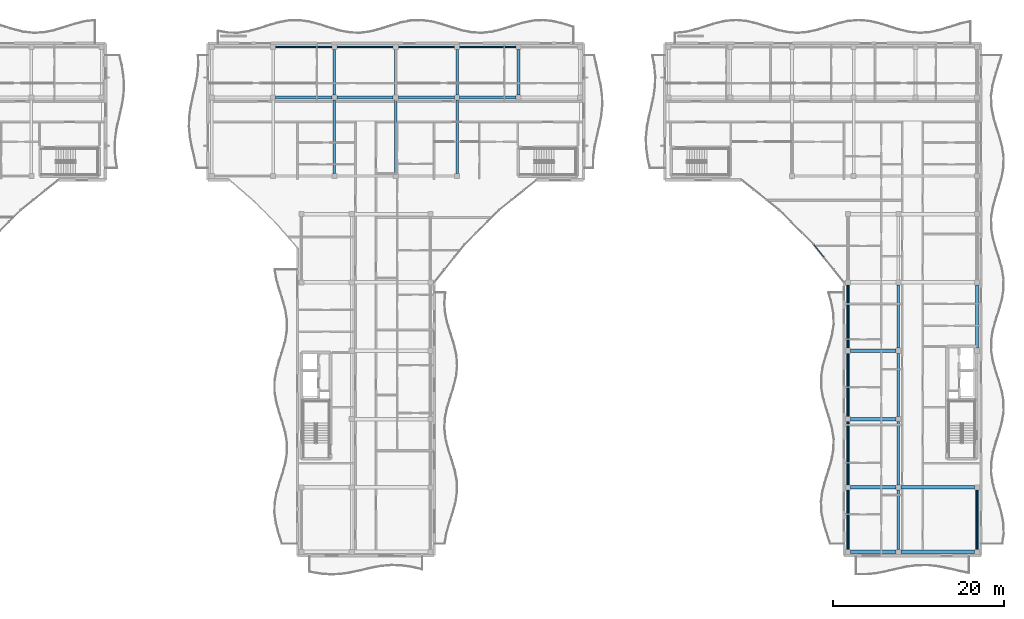
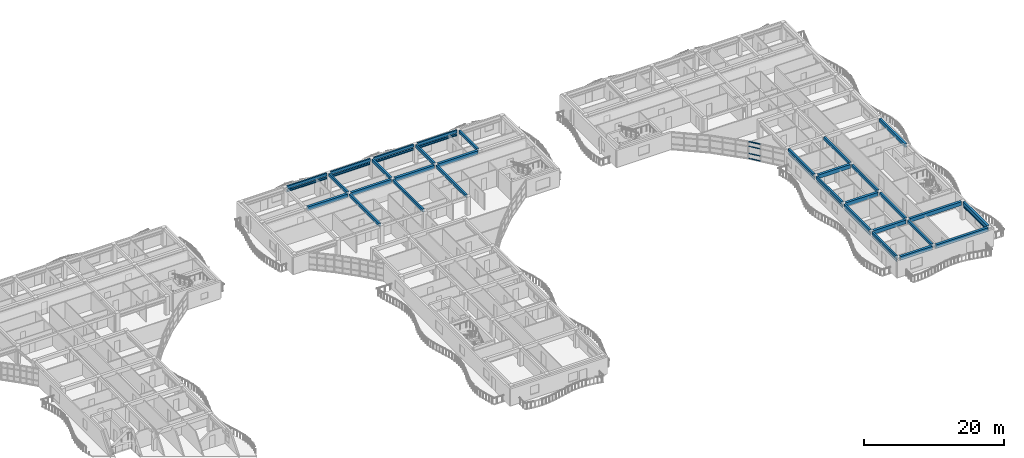
# One storey, part 18 of 76: 31 beams, 22 members, 1 element without a shape of its own.
"""IFC4 building model written with IfcOpenShell, lengths in metres."""

from ifc_helpers import new_model, si_unit, direction, frame, origin, origin_2d, place, context, subcontext, project, spatial, rectangle, hollow_rectangle, extrude, material, layer, layer_set, material_profile, profile_set, type_object, element, aggregate, save


model = new_model("IFC4")

# Units and contexts
model_context = context("Model", 3, precision=1e-05, world=origin(), true_north=direction((0.0, 1.0)))
body_context = subcontext(model_context, "Body", "Model", "MODEL_VIEW")
ifc_project = project(units=[si_unit("LENGTHUNIT", "METRE"), si_unit("AREAUNIT", "SQUARE_METRE"), si_unit("VOLUMEUNIT", "CUBIC_METRE"), si_unit("PLANEANGLEUNIT", "RADIAN"), si_unit("MASSUNIT", "GRAM", prefix="KILO")], contexts=[model_context])

# Site, building, storey
site_placement = place(None, origin())
site = spatial("IfcSite", under=ifc_project, at=site_placement, CompositionType="ELEMENT")
building_placement = place(site_placement, origin())
building = spatial("IfcBuilding", under=site, at=building_placement, Name="Keldmere Railside Commons", CompositionType="ELEMENT")
storey_placement = place(building_placement, frame((0.0, 0.0, 13.760009765625)))
storey = spatial("IfcBuildingStorey", under=building, at=storey_placement, Name="L04", CompositionType="ELEMENT", Elevation=13.760009765625)

# Members
ifc_material_1 = material(Name="Steel F-36 (S355)", Category="steel")
ifc_material_profile_1 = material_profile(ifc_material_1, hollow_rectangle(XDim=0.14990234375, YDim=0.25, WallThickness=0.010009765625, at=origin_2d()), Name="RHS-250x150x10")
ifc_profile_set_1 = profile_set([ifc_material_profile_1], Name="Steel F-36 (S355)")
member_type_1 = type_object("IfcMemberType", Name="Balcony Continuous Planted Trough RHS250x150", PredefinedType="CHORD", material=ifc_profile_set_1)
member_1_placement = place(storey_placement, frame((101.43310546875, 115.550048828125, 2.4150390625), z_axis=(1.0, 0.0, 0.0), x_axis=(0.0, 1.0, 0.0)))
element("IfcMember", 1, at=member_1_placement, inside=storey, type_object=member_type_1, Name="PLT-1 MEM-BPLT-0509", PredefinedType="CHORD", context=body_context, shape_type="SweptSolid", body=[
    extrude(hollow_rectangle(XDim=0.14990234375, YDim=0.25, WallThickness=0.010009765625, at=origin_2d()), origin(), (0.0, 0.0, 1.0), 6.583984375),
])
for number, where, z_axis, x_axis, name in (
    (2, (108.616943359375, 115.550048828125, 2.4150390625), (1.0, 0.0, 0.0), (0.0, 1.0, 0.0), "PLT-1 MEM-BPLT-0511"),
    (3, (115.800048828125, 115.550048828125, 2.4150390625), (1.0, 0.0, 0.0), (0.0, 1.0, 0.0), "PLT-1 MEM-BPLT-0513"),
):
    element("IfcMember", number, at=place(storey_placement, frame(where, z_axis=z_axis, x_axis=x_axis)), inside=storey, type_object=member_type_1, Name=name, PredefinedType="CHORD", context=body_context, shape_type="SweptSolid", body=[
        extrude(hollow_rectangle(XDim=0.14990234375, YDim=0.25, WallThickness=0.010009765625, at=origin_2d()), origin(), (0.0, 0.0, 1.0), 6.5830078125),
    ])
member_2_placement = place(storey_placement, frame((122.98291015625, 115.550048828125, 2.4150390625), z_axis=(1.0, 0.0, 0.0), x_axis=(0.0, 1.0, 0.0)))
element("IfcMember", 4, at=member_2_placement, inside=storey, type_object=member_type_1, Name="PLT-1 MEM-BPLT-0515", PredefinedType="CHORD", context=body_context, shape_type="SweptSolid", body=[
    extrude(hollow_rectangle(XDim=0.14990234375, YDim=0.25, WallThickness=0.010009765625, at=origin_2d()), origin(), (0.0, 0.0, 1.0), 6.583984375),
])
member_3_placement = place(storey_placement, frame((168.449951171875, 56.75, 2.4150390625), z_axis=(0.0, 1.0, 0.0), x_axis=(-1.0, 0.0, 0.0)))
element("IfcMember", 5, at=member_3_placement, inside=storey, type_object=member_type_1, Name="PLT-1 MEM-BPLT-0545", PredefinedType="CHORD", context=body_context, shape_type="SweptSolid", body=[
    extrude(hollow_rectangle(XDim=0.14990234375, YDim=0.25, WallThickness=0.010009765625, at=origin_2d()), origin(), (0.0, 0.0, 1.0), 6.949951171875),
])
for number, where, z_axis, x_axis, name in (
    (6, (168.449951171875, 64.300048828125, 2.4150390625), (0.0, 1.0, 0.0), (-1.0, 0.0, 0.0), "PLT-1 MEM-BPLT-0547"),
    (7, (168.449951171875, 72.300048828125, 2.4150390625), (0.0, 1.0, 0.0), (-1.0, 0.0, 0.0), "PLT-1 MEM-BPLT-0549"),
    (8, (168.449951171875, 80.300048828125, 2.4150390625), (0.0, 1.0, 0.0), (-1.0, 0.0, 0.0), "PLT-1 MEM-BPLT-0551"),
):
    element("IfcMember", number, at=place(storey_placement, frame(where, z_axis=z_axis, x_axis=x_axis)), inside=storey, type_object=member_type_1, Name=name, PredefinedType="CHORD", context=body_context, shape_type="SweptSolid", body=[
        extrude(hollow_rectangle(XDim=0.14990234375, YDim=0.25, WallThickness=0.010009765625, at=origin_2d()), origin(), (0.0, 0.0, 1.0), 7.39990234375),
    ])
member_4_placement = place(storey_placement, frame((183.550048828125, 56.75, 2.4150390625), z_axis=(0.0, 1.0, 0.0), x_axis=(-1.0, 0.0, 0.0)))
element("IfcMember", 9, at=member_4_placement, inside=storey, type_object=member_type_1, Name="PLT-1 MEM-BPLT-0555", PredefinedType="CHORD", context=body_context, shape_type="SweptSolid", body=[
    extrude(hollow_rectangle(XDim=0.14990234375, YDim=0.25, WallThickness=0.010009765625, at=origin_2d()), origin(), (0.0, 0.0, 1.0), 6.949951171875),
])

# Beams
ifc_material_2 = material(Name="Architectural Precast Concrete H-35 (C35/45)", Category="concrete")
ifc_material_profile_2 = material_profile(ifc_material_2, rectangle(XDim=0.25, YDim=0.449951171875, at=origin_2d()), Name="RC-250x450")
ifc_profile_set_2 = profile_set([ifc_material_profile_2], Name="Architectural Precast Concrete H-35 (C35/45)")
beam_type_1 = type_object("IfcBeamType", Name="Perimeter Precast Spandrel Beam 250x450", PredefinedType="SPANDREL", material=ifc_profile_set_2)
beam_1_placement = place(storey_placement, frame((101.43310546875, 115.550048828125, 2.97509765625), z_axis=(1.0, 0.0, 0.0), x_axis=(0.0, 1.0, 0.0)))
element("IfcBeam", 10, at=beam_1_placement, inside=storey, type_object=beam_type_1, Name="SPB-1 BM-L04-1592", PredefinedType="SPANDREL", context=body_context, shape_type="SweptSolid", body=[
    extrude(rectangle(XDim=0.25, YDim=0.449951171875, at=origin_2d()), origin(), (0.0, 0.0, 1.0), 6.583984375),
])
for number, where, z_axis, x_axis, name in (
    (11, (108.616943359375, 115.550048828125, 2.97509765625), (1.0, 0.0, 0.0), (0.0, 1.0, 0.0), "SPB-1 BM-L04-1593"),
    (12, (115.800048828125, 115.550048828125, 2.97509765625), (1.0, 0.0, 0.0), (0.0, 1.0, 0.0), "SPB-1 BM-L04-1594"),
):
    element("IfcBeam", number, at=place(storey_placement, frame(where, z_axis=z_axis, x_axis=x_axis)), inside=storey, type_object=beam_type_1, Name=name, PredefinedType="SPANDREL", context=body_context, shape_type="SweptSolid", body=[
        extrude(rectangle(XDim=0.25, YDim=0.449951171875, at=origin_2d()), origin(), (0.0, 0.0, 1.0), 6.5830078125),
    ])
beam_2_placement = place(storey_placement, frame((122.98291015625, 115.550048828125, 2.97509765625), z_axis=(1.0, 0.0, 0.0), x_axis=(0.0, 1.0, 0.0)))
element("IfcBeam", 13, at=beam_2_placement, inside=storey, type_object=beam_type_1, Name="SPB-1 BM-L04-1595", PredefinedType="SPANDREL", context=body_context, shape_type="SweptSolid", body=[
    extrude(rectangle(XDim=0.25, YDim=0.449951171875, at=origin_2d()), origin(), (0.0, 0.0, 1.0), 6.583984375),
])
ifc_material_3 = material(Name="Concrete H-30 (C30/37)", Category="concrete")
ifc_material_profile_3 = material_profile(ifc_material_3, rectangle(XDim=0.35009765625, YDim=0.60009765625, at=origin_2d()), Name="RC-350x600")
ifc_profile_set_3 = profile_set([ifc_material_profile_3], Name="Concrete H-30 (C30/37)")
beam_type_2 = type_object("IfcBeamType", Name="Residential Chord RC Beam 350x600", PredefinedType="BEAM", material=ifc_profile_set_3)
beam_3_placement = place(storey_placement, frame((183.550048828125, 56.75, 2.89990234375), z_axis=(0.0, 1.0, 0.0), x_axis=(-1.0, 0.0, 0.0)))
element("IfcBeam", 14, at=beam_3_placement, inside=storey, type_object=beam_type_2, Name="BG-4 BM-L04-1684", PredefinedType="BEAM", context=body_context, shape_type="SweptSolid", body=[
    extrude(rectangle(XDim=0.35009765625, YDim=0.60009765625, at=origin_2d()), origin(), (0.0, 0.0, 1.0), 6.949951171875),
])
beam_4_placement = place(storey_placement, frame((183.550048828125, 80.300048828125, 2.89990234375), z_axis=(0.0, 1.0, 0.0), x_axis=(-1.0, 0.0, 0.0)))
element("IfcBeam", 15, at=beam_4_placement, inside=storey, type_object=beam_type_2, Name="BG-4 BM-L04-1685", PredefinedType="BEAM", context=body_context, shape_type="SweptSolid", body=[
    extrude(rectangle(XDim=0.35009765625, YDim=0.60009765625, at=origin_2d()), origin(), (0.0, 0.0, 1.0), 7.39990234375),
])
ifc_material_profile_4 = material_profile(ifc_material_3, rectangle(XDim=0.39990234375, YDim=0.64990234375, at=origin_2d()), Name="RC-400x650")
ifc_profile_set_4 = profile_set([ifc_material_profile_4], Name="Concrete H-30 (C30/37)")
beam_type_3 = type_object("IfcBeamType", Name="Residential Spine RC Girder 400x650", PredefinedType="BEAM", material=ifc_profile_set_4)
beam_5_placement = place(storey_placement, frame((168.75, 56.449951171875, 2.875), z_axis=(1.0, 0.0, 0.0), x_axis=(0.0, 1.0, 0.0)))
element("IfcBeam", 16, at=beam_5_placement, inside=storey, type_object=beam_type_3, Name="BG-3 BM-L04-1520", PredefinedType="BEAM", context=body_context, shape_type="SweptSolid", body=[
    extrude(rectangle(XDim=0.39990234375, YDim=0.64990234375, at=origin_2d()), origin(), (0.0, 0.0, 1.0), 5.300048828125),
])
beam_6_placement = place(storey_placement, frame((174.64990234375, 56.449951171875, 2.875), z_axis=(1.0, 0.0, 0.0), x_axis=(0.0, 1.0, 0.0)))
element("IfcBeam", 17, at=beam_6_placement, inside=storey, type_object=beam_type_3, Name="BG-3 BM-L04-1521", PredefinedType="BEAM", context=body_context, shape_type="SweptSolid", body=[
    extrude(rectangle(XDim=0.39990234375, YDim=0.64990234375, at=origin_2d()), origin(), (0.0, 0.0, 1.0), 8.60009765625),
])
beam_7_placement = place(storey_placement, frame((168.75, 64.0, 2.875), z_axis=(1.0, 0.0, 0.0), x_axis=(0.0, 1.0, 0.0)))
element("IfcBeam", 18, at=beam_7_placement, inside=storey, type_object=beam_type_3, Name="BG-3 BM-L04-1528", PredefinedType="BEAM", context=body_context, shape_type="SweptSolid", body=[
    extrude(rectangle(XDim=0.39990234375, YDim=0.64990234375, at=origin_2d()), origin(), (0.0, 0.0, 1.0), 5.300048828125),
])
beam_8_placement = place(storey_placement, frame((174.64990234375, 64.0, 2.875), z_axis=(1.0, 0.0, 0.0), x_axis=(0.0, 1.0, 0.0)))
element("IfcBeam", 19, at=beam_8_placement, inside=storey, type_object=beam_type_3, Name="BG-3 BM-L04-1529", PredefinedType="BEAM", context=body_context, shape_type="SweptSolid", body=[
    extrude(rectangle(XDim=0.39990234375, YDim=0.64990234375, at=origin_2d()), origin(), (0.0, 0.0, 1.0), 8.60009765625),
])
for number, where, z_axis, x_axis, name in (
    (20, (168.75, 72.0, 2.875), (1.0, 0.0, 0.0), (0.0, 1.0, 0.0), "BG-3 BM-L04-1533"),
    (21, (168.75, 80.0, 2.875), (1.0, 0.0, 0.0), (0.0, 1.0, 0.0), "BG-3 BM-L04-1537"),
):
    element("IfcBeam", number, at=place(storey_placement, frame(where, z_axis=z_axis, x_axis=x_axis)), inside=storey, type_object=beam_type_3, Name=name, PredefinedType="BEAM", context=body_context, shape_type="SweptSolid", body=[
        extrude(rectangle(XDim=0.39990234375, YDim=0.64990234375, at=origin_2d()), origin(), (0.0, 0.0, 1.0), 5.300048828125),
    ])
beam_9_placement = place(storey_placement, frame((101.43310546875, 109.64990234375, 2.875), z_axis=(1.0, 0.0, 0.0), x_axis=(0.0, 1.0, 0.0)))
element("IfcBeam", 22, at=beam_9_placement, inside=storey, type_object=beam_type_3, Name="BG-3 BM-L04-1573", PredefinedType="BEAM", context=body_context, shape_type="SweptSolid", body=[
    extrude(rectangle(XDim=0.39990234375, YDim=0.64990234375, at=origin_2d()), origin(), (0.0, 0.0, 1.0), 6.583984375),
])
for number, where, z_axis, x_axis, name in (
    (23, (108.616943359375, 109.64990234375, 2.875), (1.0, 0.0, 0.0), (0.0, 1.0, 0.0), "BG-3 BM-L04-1574"),
    (24, (115.800048828125, 109.64990234375, 2.875), (1.0, 0.0, 0.0), (0.0, 1.0, 0.0), "BG-3 BM-L04-1575"),
):
    element("IfcBeam", number, at=place(storey_placement, frame(where, z_axis=z_axis, x_axis=x_axis)), inside=storey, type_object=beam_type_3, Name=name, PredefinedType="BEAM", context=body_context, shape_type="SweptSolid", body=[
        extrude(rectangle(XDim=0.39990234375, YDim=0.64990234375, at=origin_2d()), origin(), (0.0, 0.0, 1.0), 6.5830078125),
    ])
beam_10_placement = place(storey_placement, frame((122.98291015625, 109.64990234375, 2.875), z_axis=(1.0, 0.0, 0.0), x_axis=(0.0, 1.0, 0.0)))
element("IfcBeam", 25, at=beam_10_placement, inside=storey, type_object=beam_type_3, Name="BG-3 BM-L04-1576", PredefinedType="BEAM", context=body_context, shape_type="SweptSolid", body=[
    extrude(rectangle(XDim=0.39990234375, YDim=0.64990234375, at=origin_2d()), origin(), (0.0, 0.0, 1.0), 6.583984375),
])
ifc_material_profile_5 = material_profile(ifc_material_3, rectangle(XDim=0.300048828125, YDim=0.5, at=origin_2d()), Name="RC-300x500")
ifc_profile_set_5 = profile_set([ifc_material_profile_5], Name="Concrete H-30 (C30/37)")
beam_type_4 = type_object("IfcBeamType", Name="Secondary Frame RC Beam 300x500", PredefinedType="BEAM", material=ifc_profile_set_5)
beam_11_placement = place(storey_placement, frame((108.31689453125, 100.75, 2.949951171875), z_axis=(0.0, 1.0, 0.0), x_axis=(-1.0, 0.0, 0.0)))
element("IfcBeam", 26, at=beam_11_placement, inside=storey, type_object=beam_type_4, Name="BG-5 BM-L04-1649", PredefinedType="BEAM", context=body_context, shape_type="SweptSolid", body=[
    extrude(rectangle(XDim=0.300048828125, YDim=0.5, at=origin_2d()), origin(), (0.0, 0.0, 1.0), 8.60009765625),
])
beam_12_placement = place(storey_placement, frame((108.31689453125, 109.949951171875, 2.949951171875), z_axis=(0.0, 1.0, 0.0), x_axis=(-1.0, 0.0, 0.0)))
element("IfcBeam", 27, at=beam_12_placement, inside=storey, type_object=beam_type_4, Name="BG-5 BM-L04-1650", PredefinedType="BEAM", context=body_context, shape_type="SweptSolid", body=[
    extrude(rectangle(XDim=0.300048828125, YDim=0.5, at=origin_2d()), origin(), (0.0, 0.0, 1.0), 5.300048828125),
])
beam_13_placement = place(storey_placement, frame((115.5, 100.75, 2.949951171875), z_axis=(0.0, 1.0, 0.0), x_axis=(-1.0, 0.0, 0.0)))
element("IfcBeam", 28, at=beam_13_placement, inside=storey, type_object=beam_type_4, Name="BG-5 BM-L04-1656", PredefinedType="BEAM", context=body_context, shape_type="SweptSolid", body=[
    extrude(rectangle(XDim=0.300048828125, YDim=0.5, at=origin_2d()), origin(), (0.0, 0.0, 1.0), 8.60009765625),
])
beam_14_placement = place(storey_placement, frame((115.5, 109.949951171875, 2.949951171875), z_axis=(0.0, 1.0, 0.0), x_axis=(-1.0, 0.0, 0.0)))
element("IfcBeam", 29, at=beam_14_placement, inside=storey, type_object=beam_type_4, Name="BG-5 BM-L04-1657", PredefinedType="BEAM", context=body_context, shape_type="SweptSolid", body=[
    extrude(rectangle(XDim=0.300048828125, YDim=0.5, at=origin_2d()), origin(), (0.0, 0.0, 1.0), 5.300048828125),
])
beam_15_placement = place(storey_placement, frame((122.68310546875, 100.75, 2.949951171875), z_axis=(0.0, 1.0, 0.0), x_axis=(-1.0, 0.0, 0.0)))
element("IfcBeam", 30, at=beam_15_placement, inside=storey, type_object=beam_type_4, Name="BG-5 BM-L04-1663", PredefinedType="BEAM", context=body_context, shape_type="SweptSolid", body=[
    extrude(rectangle(XDim=0.300048828125, YDim=0.5, at=origin_2d()), origin(), (0.0, 0.0, 1.0), 8.60009765625),
])
for number, where, z_axis, x_axis, name in (
    (31, (122.68310546875, 109.949951171875, 2.949951171875), (0.0, 1.0, 0.0), (-1.0, 0.0, 0.0), "BG-5 BM-L04-1664"),
    (32, (129.866943359375, 109.949951171875, 2.949951171875), (0.0, 1.0, 0.0), (-1.0, 0.0, 0.0), "BG-5 BM-L04-1665"),
):
    element("IfcBeam", number, at=place(storey_placement, frame(where, z_axis=z_axis, x_axis=x_axis)), inside=storey, type_object=beam_type_4, Name=name, PredefinedType="BEAM", context=body_context, shape_type="SweptSolid", body=[
        extrude(rectangle(XDim=0.300048828125, YDim=0.5, at=origin_2d()), origin(), (0.0, 0.0, 1.0), 5.300048828125),
    ])
beam_16_placement = place(storey_placement, frame((168.449951171875, 56.75, 2.949951171875), z_axis=(0.0, 1.0, 0.0), x_axis=(-1.0, 0.0, 0.0)))
element("IfcBeam", 33, at=beam_16_placement, inside=storey, type_object=beam_type_4, Name="BG-5 BM-L04-1671", PredefinedType="BEAM", context=body_context, shape_type="SweptSolid", body=[
    extrude(rectangle(XDim=0.300048828125, YDim=0.5, at=origin_2d()), origin(), (0.0, 0.0, 1.0), 6.949951171875),
])
for number, where, z_axis, x_axis, name in (
    (34, (168.449951171875, 64.300048828125, 2.949951171875), (0.0, 1.0, 0.0), (-1.0, 0.0, 0.0), "BG-5 BM-L04-1672"),
    (35, (168.449951171875, 72.300048828125, 2.949951171875), (0.0, 1.0, 0.0), (-1.0, 0.0, 0.0), "BG-5 BM-L04-1673"),
    (36, (168.449951171875, 80.300048828125, 2.949951171875), (0.0, 1.0, 0.0), (-1.0, 0.0, 0.0), "BG-5 BM-L04-1674"),
):
    element("IfcBeam", number, at=place(storey_placement, frame(where, z_axis=z_axis, x_axis=x_axis)), inside=storey, type_object=beam_type_4, Name=name, PredefinedType="BEAM", context=body_context, shape_type="SweptSolid", body=[
        extrude(rectangle(XDim=0.300048828125, YDim=0.5, at=origin_2d()), origin(), (0.0, 0.0, 1.0), 7.39990234375),
    ])
beam_17_placement = place(storey_placement, frame((174.35009765625, 56.75, 2.949951171875), z_axis=(0.0, 1.0, 0.0), x_axis=(-1.0, 0.0, 0.0)))
element("IfcBeam", 37, at=beam_17_placement, inside=storey, type_object=beam_type_4, Name="BG-5 BM-L04-1678", PredefinedType="BEAM", context=body_context, shape_type="SweptSolid", body=[
    extrude(rectangle(XDim=0.300048828125, YDim=0.5, at=origin_2d()), origin(), (0.0, 0.0, 1.0), 6.949951171875),
])
for number, where, z_axis, x_axis, name in (
    (38, (174.35009765625, 64.300048828125, 2.949951171875), (0.0, 1.0, 0.0), (-1.0, 0.0, 0.0), "BG-5 BM-L04-1679"),
    (39, (174.35009765625, 72.300048828125, 2.949951171875), (0.0, 1.0, 0.0), (-1.0, 0.0, 0.0), "BG-5 BM-L04-1680"),
    (40, (174.35009765625, 80.300048828125, 2.949951171875), (0.0, 1.0, 0.0), (-1.0, 0.0, 0.0), "BG-5 BM-L04-1681"),
):
    element("IfcBeam", number, at=place(storey_placement, frame(where, z_axis=z_axis, x_axis=x_axis)), inside=storey, type_object=beam_type_4, Name=name, PredefinedType="BEAM", context=body_context, shape_type="SweptSolid", body=[
        extrude(rectangle(XDim=0.300048828125, YDim=0.5, at=origin_2d()), origin(), (0.0, 0.0, 1.0), 7.39990234375),
    ])

# Members
ifc_material_profile_6 = material_profile(ifc_material_1, hollow_rectangle(XDim=0.10009765625, YDim=0.159912109375, WallThickness=0.008056640625, at=origin_2d()), Name="RHS-160x100x8")
ifc_profile_set_6 = profile_set([ifc_material_profile_6], Name="Steel F-36 (S355)")
member_type_2 = type_object("IfcMemberType", Name="Solar Brise-Soleil Louvre Fin RHS160x100", PredefinedType="STRUT", material=ifc_profile_set_6)
member_5_placement = place(storey_placement, frame((101.43310546875, 115.550048828125, 2.199951171875), z_axis=(1.0, 0.0, 0.0), x_axis=(0.0, 1.0, 0.0)))
element("IfcMember", 41, at=member_5_placement, inside=storey, type_object=member_type_2, Name="BSF-1 MEM-BSF-0510", PredefinedType="STRUT", context=body_context, shape_type="SweptSolid", body=[
    extrude(hollow_rectangle(XDim=0.10009765625, YDim=0.159912109375, WallThickness=0.008056640625, at=origin_2d()), origin(), (0.0, 0.0, 1.0), 6.583984375),
])
for number, where, z_axis, x_axis, name in (
    (42, (108.616943359375, 115.550048828125, 2.199951171875), (1.0, 0.0, 0.0), (0.0, 1.0, 0.0), "BSF-1 MEM-BSF-0512"),
    (43, (115.800048828125, 115.550048828125, 2.199951171875), (1.0, 0.0, 0.0), (0.0, 1.0, 0.0), "BSF-1 MEM-BSF-0514"),
):
    element("IfcMember", number, at=place(storey_placement, frame(where, z_axis=z_axis, x_axis=x_axis)), inside=storey, type_object=member_type_2, Name=name, PredefinedType="STRUT", context=body_context, shape_type="SweptSolid", body=[
        extrude(hollow_rectangle(XDim=0.10009765625, YDim=0.159912109375, WallThickness=0.008056640625, at=origin_2d()), origin(), (0.0, 0.0, 1.0), 6.5830078125),
    ])
member_6_placement = place(storey_placement, frame((122.98291015625, 115.550048828125, 2.199951171875), z_axis=(1.0, 0.0, 0.0), x_axis=(0.0, 1.0, 0.0)))
element("IfcMember", 44, at=member_6_placement, inside=storey, type_object=member_type_2, Name="BSF-1 MEM-BSF-0516", PredefinedType="STRUT", context=body_context, shape_type="SweptSolid", body=[
    extrude(hollow_rectangle(XDim=0.10009765625, YDim=0.159912109375, WallThickness=0.008056640625, at=origin_2d()), origin(), (0.0, 0.0, 1.0), 6.583984375),
])
member_7_placement = place(storey_placement, frame((168.449951171875, 56.75, 2.199951171875), z_axis=(0.0, 1.0, 0.0), x_axis=(-1.0, 0.0, 0.0)))
element("IfcMember", 45, at=member_7_placement, inside=storey, type_object=member_type_2, Name="BSF-1 MEM-BSF-0546", PredefinedType="STRUT", context=body_context, shape_type="SweptSolid", body=[
    extrude(hollow_rectangle(XDim=0.10009765625, YDim=0.159912109375, WallThickness=0.008056640625, at=origin_2d()), origin(), (0.0, 0.0, 1.0), 6.949951171875),
])
for number, where, z_axis, x_axis, name in (
    (46, (168.449951171875, 64.300048828125, 2.199951171875), (0.0, 1.0, 0.0), (-1.0, 0.0, 0.0), "BSF-1 MEM-BSF-0548"),
    (47, (168.449951171875, 72.300048828125, 2.199951171875), (0.0, 1.0, 0.0), (-1.0, 0.0, 0.0), "BSF-1 MEM-BSF-0550"),
    (48, (168.449951171875, 80.300048828125, 2.199951171875), (0.0, 1.0, 0.0), (-1.0, 0.0, 0.0), "BSF-1 MEM-BSF-0552"),
):
    element("IfcMember", number, at=place(storey_placement, frame(where, z_axis=z_axis, x_axis=x_axis)), inside=storey, type_object=member_type_2, Name=name, PredefinedType="STRUT", context=body_context, shape_type="SweptSolid", body=[
        extrude(hollow_rectangle(XDim=0.10009765625, YDim=0.159912109375, WallThickness=0.008056640625, at=origin_2d()), origin(), (0.0, 0.0, 1.0), 7.39990234375),
    ])
member_8_placement = place(storey_placement, frame((183.550048828125, 56.75, 2.199951171875), z_axis=(0.0, 1.0, 0.0), x_axis=(-1.0, 0.0, 0.0)))
element("IfcMember", 49, at=member_8_placement, inside=storey, type_object=member_type_2, Name="BSF-1 MEM-BSF-0556", PredefinedType="STRUT", context=body_context, shape_type="SweptSolid", body=[
    extrude(hollow_rectangle(XDim=0.10009765625, YDim=0.159912109375, WallThickness=0.008056640625, at=origin_2d()), origin(), (0.0, 0.0, 1.0), 6.949951171875),
])

# Curtain wall, members
ifc_material_4 = material(Name="Thermally Broken Aluminium", Category="aluminium")
ifc_layer = layer(ifc_material_4, 0.159912109375, Name="Court Chord Wintergarden CW 5400x2850")
ifc_layer_set = layer_set([ifc_layer], Name="Thermally Broken Aluminium")
curtain_wall_type = type_object("IfcCurtainWallType", Name="Court Chord Wintergarden CW 5400x2850", PredefinedType="NOTDEFINED", material=ifc_layer_set)
curtain_wall_placement = place(storey_placement, origin())
curtain_wall = element("IfcCurtainWall", 50, at=curtain_wall_placement, inside=storey, type_object=curtain_wall_type, Name="CW-13 CW-L04-171", PredefinedType="NOTDEFINED")
ifc_material_profile_7 = material_profile(ifc_material_4, hollow_rectangle(XDim=0.06494140625, YDim=0.1201171875, WallThickness=0.00390625, at=origin_2d()), Name="ALU-TRAN-65x120")
ifc_profile_set_7 = profile_set([ifc_material_profile_7], Name="Thermally Broken Aluminium")
member_type_3 = type_object("IfcMemberType", Name="Unitised Curtain Wall Transom 65x120", PredefinedType="USERDEFINED", material=ifc_profile_set_7)
member_9_placement = place(storey_placement, frame((165.6103515625, 90.978759765625, 0.032470703125), z_axis=(-0.625805275091, 0.779979331565, 0.0), x_axis=(-0.779979331565, -0.625805275091, 0.0)))
member_9 = element("IfcMember", 51, at=member_9_placement, type_object=member_type_3, Name="CW-13 transom 3.1", ObjectType="TRANSOM", PredefinedType="USERDEFINED", context=body_context, shape_type="SweptSolid", body=[
    extrude(hollow_rectangle(XDim=0.06494140625, YDim=0.1201171875, WallThickness=0.00390625, at=origin_2d()), origin(), (0.0, 0.0, 1.0), 1.795654296875),
])
member_10_placement = place(storey_placement, frame((165.6103515625, 90.978759765625, 0.89990234375), z_axis=(-0.625805275091, 0.779979331565, 0.0), x_axis=(-0.779979331565, -0.625805275091, 0.0)))
member_10 = element("IfcMember", 52, at=member_10_placement, type_object=member_type_3, Name="CW-13 transom 3.2", ObjectType="TRANSOM", PredefinedType="USERDEFINED", context=body_context, shape_type="SweptSolid", body=[
    extrude(hollow_rectangle(XDim=0.06494140625, YDim=0.1201171875, WallThickness=0.00390625, at=origin_2d()), origin(), (0.0, 0.0, 1.0), 1.795654296875),
])
member_11_placement = place(storey_placement, frame((165.6103515625, 90.978759765625, 2.14990234375), z_axis=(-0.625805275091, 0.779979331565, 0.0), x_axis=(-0.779979331565, -0.625805275091, 0.0)))
member_11 = element("IfcMember", 53, at=member_11_placement, type_object=member_type_3, Name="CW-13 transom 3.3", ObjectType="TRANSOM", PredefinedType="USERDEFINED", context=body_context, shape_type="SweptSolid", body=[
    extrude(hollow_rectangle(XDim=0.06494140625, YDim=0.1201171875, WallThickness=0.00390625, at=origin_2d()), origin(), (0.0, 0.0, 1.0), 1.795654296875),
])
member_12_placement = place(storey_placement, frame((165.6103515625, 90.978759765625, 2.947509765625), z_axis=(-0.625805275091, 0.779979331565, 0.0), x_axis=(-0.779979331565, -0.625805275091, 0.0)))
member_12 = element("IfcMember", 54, at=member_12_placement, type_object=member_type_3, Name="CW-13 transom 3.4", ObjectType="TRANSOM", PredefinedType="USERDEFINED", context=body_context, shape_type="SweptSolid", body=[
    extrude(hollow_rectangle(XDim=0.06494140625, YDim=0.1201171875, WallThickness=0.00390625, at=origin_2d()), origin(), (0.0, 0.0, 1.0), 1.795654296875),
])
aggregate(curtain_wall, [member_9, member_10, member_11, member_12])

save(model, "model.ifc")
